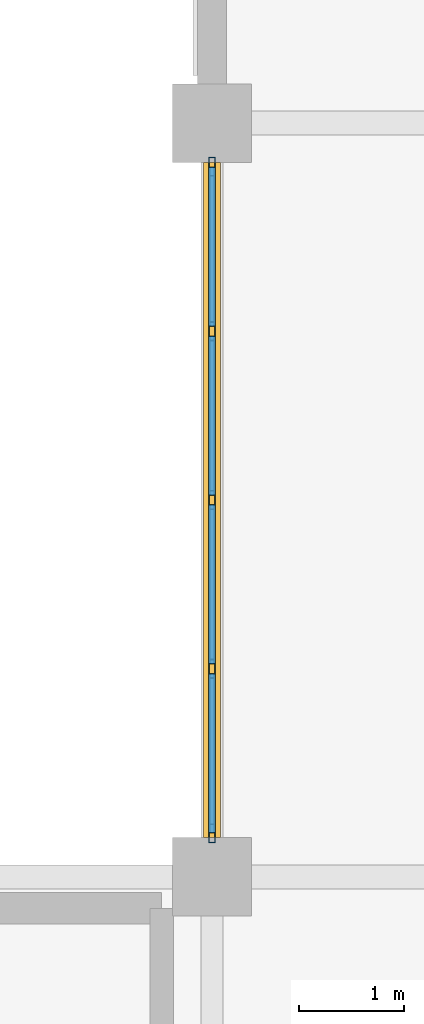
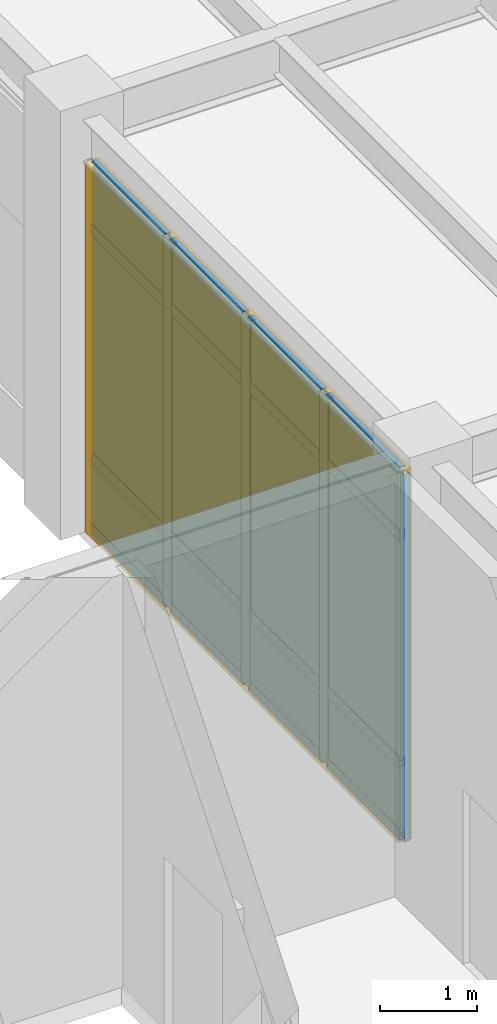
# One storey, part 74 of 97: 21 members, 8 plates, 1 curtain wall.
"""IFC4 building model written with IfcOpenShell, lengths in metres."""

from ifc_helpers import new_model, si_unit, direction, frame, origin, origin_2d, place, context, subcontext, project, spatial, rectangle, hollow_rectangle, extrude, material, layer, layer_set, material_profile, profile_set, type_object, element, aggregate, save


model = new_model("IFC4")

# Units and contexts
model_context = context("Model", 3, precision=1e-05, world=origin(), true_north=direction((0.0, 1.0)))
body_context = subcontext(model_context, "Body", "Model", "MODEL_VIEW")
ifc_project = project(units=[si_unit("LENGTHUNIT", "METRE"), si_unit("AREAUNIT", "SQUARE_METRE"), si_unit("VOLUMEUNIT", "CUBIC_METRE"), si_unit("PLANEANGLEUNIT", "RADIAN"), si_unit("MASSUNIT", "GRAM", prefix="KILO")], contexts=[model_context])

# Member
ifc_material_1 = material(Name="Anodized Aluminium 6063-T6", Category="aluminium")
ifc_material_profile_1 = material_profile(ifc_material_1, hollow_rectangle(XDim=0.06494140625, YDim=0.179931640625, WallThickness=0.00390625, at=origin_2d()), Name="ALU 65x180x4")
ifc_profile_set_1 = profile_set([ifc_material_profile_1], Name="Anodized Aluminium 6063-T6")
member_type_1 = type_object("IfcMemberType", Name="CWM-65X150", PredefinedType="MULLION", material=ifc_profile_set_1)
site_placement = place(None, origin())
building_placement = place(site_placement, origin())
storey_placement = place(building_placement, origin())
member_1_placement = place(storey_placement, frame((93.60009765625, 94.014892578125, 0.02001953125), z_axis=(0.0, 0.0, 1.0), x_axis=(1.0, 0.0, 0.0)))
member_1 = element("IfcMember", 1, at=member_1_placement, type_object=member_type_1, Name="Curtain wall mullion CW-L01-13-13-W-00", PredefinedType="MULLION", context=body_context, shape_type="SweptSolid", body=[
    extrude(hollow_rectangle(XDim=0.06494140625, YDim=0.179931640625, WallThickness=0.00390625, at=origin_2d()), origin(), (0.0, 0.0, 1.0), 4.626953125),
])

member_2_placement = place(storey_placement, frame((93.60009765625, 95.58740234375, 0.02001953125), z_axis=(0.0, 0.0, 1.0), x_axis=(1.0, 0.0, 0.0)))
member_2 = element("IfcMember", 2, at=member_2_placement, type_object=member_type_1, Name="Curtain wall mullion CW-L01-13-13-W-01", PredefinedType="MULLION", context=body_context, shape_type="SweptSolid", body=[
    extrude(hollow_rectangle(XDim=0.06494140625, YDim=0.179931640625, WallThickness=0.00390625, at=origin_2d()), origin(), (0.0, 0.0, 1.0), 4.626953125),
])

member_3_placement = place(storey_placement, frame((93.60009765625, 97.199951171875, 0.02001953125), z_axis=(0.0, 0.0, 1.0), x_axis=(1.0, 0.0, 0.0)))
member_3 = element("IfcMember", 3, at=member_3_placement, type_object=member_type_1, Name="Curtain wall mullion CW-L01-13-13-W-02", PredefinedType="MULLION", context=body_context, shape_type="SweptSolid", body=[
    extrude(hollow_rectangle(XDim=0.06494140625, YDim=0.179931640625, WallThickness=0.00390625, at=origin_2d()), origin(), (0.0, 0.0, 1.0), 4.626953125),
])

member_4_placement = place(storey_placement, frame((93.60009765625, 98.8125, 0.02001953125), z_axis=(0.0, 0.0, 1.0), x_axis=(1.0, 0.0, 0.0)))
member_4 = element("IfcMember", 4, at=member_4_placement, type_object=member_type_1, Name="Curtain wall mullion CW-L01-13-13-W-03", PredefinedType="MULLION", context=body_context, shape_type="SweptSolid", body=[
    extrude(hollow_rectangle(XDim=0.06494140625, YDim=0.179931640625, WallThickness=0.00390625, at=origin_2d()), origin(), (0.0, 0.0, 1.0), 4.626953125),
])

member_5_placement = place(storey_placement, frame((93.60009765625, 100.385009765625, 0.02001953125), z_axis=(0.0, 0.0, 1.0), x_axis=(1.0, 0.0, 0.0)))
member_5 = element("IfcMember", 5, at=member_5_placement, type_object=member_type_1, Name="Curtain wall mullion CW-L01-13-13-W-04", PredefinedType="MULLION", context=body_context, shape_type="SweptSolid", body=[
    extrude(hollow_rectangle(XDim=0.06494140625, YDim=0.179931640625, WallThickness=0.00390625, at=origin_2d()), origin(), (0.0, 0.0, 1.0), 4.626953125),
])

ifc_material_profile_2 = material_profile(ifc_material_1, hollow_rectangle(XDim=0.06494140625, YDim=0.139892578125, WallThickness=0.00390625, at=origin_2d()), Name="ALU 65x140x4")
ifc_profile_set_2 = profile_set([ifc_material_profile_2], Name="Anodized Aluminium 6063-T6")
member_type_2 = type_object("IfcMemberType", Name="CWT-65X120", PredefinedType="USERDEFINED", material=ifc_profile_set_2)
member_6_placement = place(storey_placement, frame((93.60009765625, 94.02490234375, 0.050048828125), z_axis=(0.0, 1.0, 0.0), x_axis=(-1.0, 0.0, 0.0)))
member_6 = element("IfcMember", 6, at=member_6_placement, type_object=member_type_2, Name="Curtain wall transom CW-L01-13-13-W-1.01", ObjectType="TRANSOM", PredefinedType="USERDEFINED", context=body_context, shape_type="SweptSolid", body=[
    extrude(hollow_rectangle(XDim=0.06494140625, YDim=0.139892578125, WallThickness=0.00390625, at=origin_2d()), origin(), (0.0, 0.0, 1.0), 1.5126953125),
])

member_7_placement = place(storey_placement, frame((93.60009765625, 95.637451171875, 0.050048828125), z_axis=(0.0, 1.0, 0.0), x_axis=(-1.0, 0.0, 0.0)))
member_7 = element("IfcMember", 7, at=member_7_placement, type_object=member_type_2, Name="Curtain wall transom CW-L01-13-13-W-1.02", ObjectType="TRANSOM", PredefinedType="USERDEFINED", context=body_context, shape_type="SweptSolid", body=[
    extrude(hollow_rectangle(XDim=0.06494140625, YDim=0.139892578125, WallThickness=0.00390625, at=origin_2d()), origin(), (0.0, 0.0, 1.0), 1.512451171875),
])

member_8_placement = place(storey_placement, frame((93.60009765625, 97.25, 0.050048828125), z_axis=(0.0, 1.0, 0.0), x_axis=(-1.0, 0.0, 0.0)))
member_8 = element("IfcMember", 8, at=member_8_placement, type_object=member_type_2, Name="Curtain wall transom CW-L01-13-13-W-1.03", ObjectType="TRANSOM", PredefinedType="USERDEFINED", context=body_context, shape_type="SweptSolid", body=[
    extrude(hollow_rectangle(XDim=0.06494140625, YDim=0.139892578125, WallThickness=0.00390625, at=origin_2d()), origin(), (0.0, 0.0, 1.0), 1.512451171875),
])

member_9_placement = place(storey_placement, frame((93.60009765625, 98.862548828125, 0.050048828125), z_axis=(0.0, 1.0, 0.0), x_axis=(-1.0, 0.0, 0.0)))
member_9 = element("IfcMember", 9, at=member_9_placement, type_object=member_type_2, Name="Curtain wall transom CW-L01-13-13-W-1.04", ObjectType="TRANSOM", PredefinedType="USERDEFINED", context=body_context, shape_type="SweptSolid", body=[
    extrude(hollow_rectangle(XDim=0.06494140625, YDim=0.139892578125, WallThickness=0.00390625, at=origin_2d()), origin(), (0.0, 0.0, 1.0), 1.512451171875),
])

member_10_placement = place(storey_placement, frame((93.60009765625, 94.02490234375, 0.949951171875), z_axis=(0.0, 1.0, 0.0), x_axis=(-1.0, 0.0, 0.0)))
member_10 = element("IfcMember", 10, at=member_10_placement, type_object=member_type_2, Name="Curtain wall transom CW-L01-13-13-W-2.01", ObjectType="TRANSOM", PredefinedType="USERDEFINED", context=body_context, shape_type="SweptSolid", body=[
    extrude(hollow_rectangle(XDim=0.06494140625, YDim=0.139892578125, WallThickness=0.00390625, at=origin_2d()), origin(), (0.0, 0.0, 1.0), 1.5126953125),
])

member_11_placement = place(storey_placement, frame((93.60009765625, 95.637451171875, 0.949951171875), z_axis=(0.0, 1.0, 0.0), x_axis=(-1.0, 0.0, 0.0)))
member_11 = element("IfcMember", 11, at=member_11_placement, type_object=member_type_2, Name="Curtain wall transom CW-L01-13-13-W-2.02", ObjectType="TRANSOM", PredefinedType="USERDEFINED", context=body_context, shape_type="SweptSolid", body=[
    extrude(hollow_rectangle(XDim=0.06494140625, YDim=0.139892578125, WallThickness=0.00390625, at=origin_2d()), origin(), (0.0, 0.0, 1.0), 1.512451171875),
])

member_12_placement = place(storey_placement, frame((93.60009765625, 97.25, 0.949951171875), z_axis=(0.0, 1.0, 0.0), x_axis=(-1.0, 0.0, 0.0)))
member_12 = element("IfcMember", 12, at=member_12_placement, type_object=member_type_2, Name="Curtain wall transom CW-L01-13-13-W-2.03", ObjectType="TRANSOM", PredefinedType="USERDEFINED", context=body_context, shape_type="SweptSolid", body=[
    extrude(hollow_rectangle(XDim=0.06494140625, YDim=0.139892578125, WallThickness=0.00390625, at=origin_2d()), origin(), (0.0, 0.0, 1.0), 1.512451171875),
])

member_13_placement = place(storey_placement, frame((93.60009765625, 98.862548828125, 0.949951171875), z_axis=(0.0, 1.0, 0.0), x_axis=(-1.0, 0.0, 0.0)))
member_13 = element("IfcMember", 13, at=member_13_placement, type_object=member_type_2, Name="Curtain wall transom CW-L01-13-13-W-2.04", ObjectType="TRANSOM", PredefinedType="USERDEFINED", context=body_context, shape_type="SweptSolid", body=[
    extrude(hollow_rectangle(XDim=0.06494140625, YDim=0.139892578125, WallThickness=0.00390625, at=origin_2d()), origin(), (0.0, 0.0, 1.0), 1.512451171875),
])

member_14_placement = place(storey_placement, frame((93.60009765625, 94.02490234375, 3.81689453125), z_axis=(0.0, 1.0, 0.0), x_axis=(-1.0, 0.0, 0.0)))
member_14 = element("IfcMember", 14, at=member_14_placement, type_object=member_type_2, Name="Curtain wall transom CW-L01-13-13-W-3.01", ObjectType="TRANSOM", PredefinedType="USERDEFINED", context=body_context, shape_type="SweptSolid", body=[
    extrude(hollow_rectangle(XDim=0.06494140625, YDim=0.139892578125, WallThickness=0.00390625, at=origin_2d()), origin(), (0.0, 0.0, 1.0), 1.5126953125),
])

member_15_placement = place(storey_placement, frame((93.60009765625, 95.637451171875, 3.81689453125), z_axis=(0.0, 1.0, 0.0), x_axis=(-1.0, 0.0, 0.0)))
member_15 = element("IfcMember", 15, at=member_15_placement, type_object=member_type_2, Name="Curtain wall transom CW-L01-13-13-W-3.02", ObjectType="TRANSOM", PredefinedType="USERDEFINED", context=body_context, shape_type="SweptSolid", body=[
    extrude(hollow_rectangle(XDim=0.06494140625, YDim=0.139892578125, WallThickness=0.00390625, at=origin_2d()), origin(), (0.0, 0.0, 1.0), 1.512451171875),
])

member_16_placement = place(storey_placement, frame((93.60009765625, 97.25, 3.81689453125), z_axis=(0.0, 1.0, 0.0), x_axis=(-1.0, 0.0, 0.0)))
member_16 = element("IfcMember", 16, at=member_16_placement, type_object=member_type_2, Name="Curtain wall transom CW-L01-13-13-W-3.03", ObjectType="TRANSOM", PredefinedType="USERDEFINED", context=body_context, shape_type="SweptSolid", body=[
    extrude(hollow_rectangle(XDim=0.06494140625, YDim=0.139892578125, WallThickness=0.00390625, at=origin_2d()), origin(), (0.0, 0.0, 1.0), 1.512451171875),
])

member_17_placement = place(storey_placement, frame((93.60009765625, 98.862548828125, 3.81689453125), z_axis=(0.0, 1.0, 0.0), x_axis=(-1.0, 0.0, 0.0)))
member_17 = element("IfcMember", 17, at=member_17_placement, type_object=member_type_2, Name="Curtain wall transom CW-L01-13-13-W-3.04", ObjectType="TRANSOM", PredefinedType="USERDEFINED", context=body_context, shape_type="SweptSolid", body=[
    extrude(hollow_rectangle(XDim=0.06494140625, YDim=0.139892578125, WallThickness=0.00390625, at=origin_2d()), origin(), (0.0, 0.0, 1.0), 1.512451171875),
])

member_18_placement = place(storey_placement, frame((93.60009765625, 94.02490234375, 4.616943359375), z_axis=(0.0, 1.0, 0.0), x_axis=(-1.0, 0.0, 0.0)))
member_18 = element("IfcMember", 18, at=member_18_placement, type_object=member_type_2, Name="Curtain wall transom CW-L01-13-13-W-4.01", ObjectType="TRANSOM", PredefinedType="USERDEFINED", context=body_context, shape_type="SweptSolid", body=[
    extrude(hollow_rectangle(XDim=0.06494140625, YDim=0.139892578125, WallThickness=0.00390625, at=origin_2d()), origin(), (0.0, 0.0, 1.0), 1.5126953125),
])

member_19_placement = place(storey_placement, frame((93.60009765625, 95.637451171875, 4.616943359375), z_axis=(0.0, 1.0, 0.0), x_axis=(-1.0, 0.0, 0.0)))
member_19 = element("IfcMember", 19, at=member_19_placement, type_object=member_type_2, Name="Curtain wall transom CW-L01-13-13-W-4.02", ObjectType="TRANSOM", PredefinedType="USERDEFINED", context=body_context, shape_type="SweptSolid", body=[
    extrude(hollow_rectangle(XDim=0.06494140625, YDim=0.139892578125, WallThickness=0.00390625, at=origin_2d()), origin(), (0.0, 0.0, 1.0), 1.512451171875),
])

member_20_placement = place(storey_placement, frame((93.60009765625, 97.25, 4.616943359375), z_axis=(0.0, 1.0, 0.0), x_axis=(-1.0, 0.0, 0.0)))
member_20 = element("IfcMember", 20, at=member_20_placement, type_object=member_type_2, Name="Curtain wall transom CW-L01-13-13-W-4.03", ObjectType="TRANSOM", PredefinedType="USERDEFINED", context=body_context, shape_type="SweptSolid", body=[
    extrude(hollow_rectangle(XDim=0.06494140625, YDim=0.139892578125, WallThickness=0.00390625, at=origin_2d()), origin(), (0.0, 0.0, 1.0), 1.512451171875),
])

member_21_placement = place(storey_placement, frame((93.60009765625, 98.862548828125, 4.616943359375), z_axis=(0.0, 1.0, 0.0), x_axis=(-1.0, 0.0, 0.0)))
member_21 = element("IfcMember", 21, at=member_21_placement, type_object=member_type_2, Name="Curtain wall transom CW-L01-13-13-W-4.04", ObjectType="TRANSOM", PredefinedType="USERDEFINED", context=body_context, shape_type="SweptSolid", body=[
    extrude(hollow_rectangle(XDim=0.06494140625, YDim=0.139892578125, WallThickness=0.00390625, at=origin_2d()), origin(), (0.0, 0.0, 1.0), 1.512451171875),
])

# Plate
ifc_material_2 = material(Name="Double Low-E Insulated Glazing Unit", Category="glass")
ifc_layer_1 = layer(ifc_material_2, 0.0380859375)
ifc_layer_set_1 = layer_set([ifc_layer_1], Name="Double Low-E Insulated Glazing Unit")
plate_type_1 = type_object("IfcPlateType", Name="CWP-IGU-38", PredefinedType="CURTAIN_PANEL", material=ifc_layer_set_1)
plate_1_placement = place(storey_placement, frame((93.60009765625, 94.78125, 0.990234375), z_axis=(0.0, 0.0, 1.0), x_axis=(0.0, 1.0, 0.0)))
plate_1 = element("IfcPlate", 22, at=plate_1_placement, type_object=plate_type_1, Name="Curtain wall vision glazing CW-L01-13-13-W-01", PredefinedType="CURTAIN_PANEL", context=body_context, shape_type="SweptSolid", body=[
    extrude(rectangle(XDim=1.5224609375, YDim=0.0400390625, at=origin_2d()), origin(), (0.0, 0.0, 1.0), 3.616943359375),
])

plate_2_placement = place(storey_placement, frame((93.60009765625, 96.393798828125, 0.990234375), z_axis=(0.0, 0.0, 1.0), x_axis=(0.0, 1.0, 0.0)))
plate_2 = element("IfcPlate", 23, at=plate_2_placement, type_object=plate_type_1, Name="Curtain wall vision glazing CW-L01-13-13-W-02", PredefinedType="CURTAIN_PANEL", context=body_context, shape_type="SweptSolid", body=[
    extrude(rectangle(XDim=1.5224609375, YDim=0.0400390625, at=origin_2d()), origin(), (0.0, 0.0, 1.0), 3.616943359375),
])

plate_3_placement = place(storey_placement, frame((93.60009765625, 98.006103515625, 0.990234375), z_axis=(0.0, 0.0, 1.0), x_axis=(0.0, 1.0, 0.0)))
plate_3 = element("IfcPlate", 24, at=plate_3_placement, type_object=plate_type_1, Name="Curtain wall vision glazing CW-L01-13-13-W-03", PredefinedType="CURTAIN_PANEL", context=body_context, shape_type="SweptSolid", body=[
    extrude(rectangle(XDim=1.5224609375, YDim=0.0400390625, at=origin_2d()), origin(), (0.0, 0.0, 1.0), 3.616943359375),
])

plate_4_placement = place(storey_placement, frame((93.60009765625, 99.61865234375, 0.990234375), z_axis=(0.0, 0.0, 1.0), x_axis=(0.0, 1.0, 0.0)))
plate_4 = element("IfcPlate", 25, at=plate_4_placement, type_object=plate_type_1, Name="Curtain wall vision glazing CW-L01-13-13-W-04", PredefinedType="CURTAIN_PANEL", context=body_context, shape_type="SweptSolid", body=[
    extrude(rectangle(XDim=1.5224609375, YDim=0.0400390625, at=origin_2d()), origin(), (0.0, 0.0, 1.0), 3.616943359375),
])

ifc_material_3 = material(Name="Insulated Bronze Aluminium Spandrel", Category="aluminium")
ifc_layer_2 = layer(ifc_material_3, 0.06005859375)
ifc_layer_set_2 = layer_set([ifc_layer_2], Name="Insulated Bronze Aluminium Spandrel")
plate_type_2 = type_object("IfcPlateType", Name="CWP-SPN-60", PredefinedType="CURTAIN_PANEL", material=ifc_layer_set_2)
plate_5_placement = place(storey_placement, frame((93.60009765625, 94.78125, 0.080078125), z_axis=(0.0, 0.0, 1.0), x_axis=(0.0, 1.0, 0.0)))
plate_5 = element("IfcPlate", 26, at=plate_5_placement, type_object=plate_type_2, Name="Curtain wall spandrel panel CW-L01-13-13-W-01", PredefinedType="CURTAIN_PANEL", context=body_context, shape_type="SweptSolid", body=[
    extrude(rectangle(XDim=1.5224609375, YDim=0.06005859375, at=origin_2d()), origin(), (0.0, 0.0, 1.0), 0.840087890625),
])

plate_6_placement = place(storey_placement, frame((93.60009765625, 96.393798828125, 0.080078125), z_axis=(0.0, 0.0, 1.0), x_axis=(0.0, 1.0, 0.0)))
plate_6 = element("IfcPlate", 27, at=plate_6_placement, type_object=plate_type_2, Name="Curtain wall spandrel panel CW-L01-13-13-W-02", PredefinedType="CURTAIN_PANEL", context=body_context, shape_type="SweptSolid", body=[
    extrude(rectangle(XDim=1.5224609375, YDim=0.06005859375, at=origin_2d()), origin(), (0.0, 0.0, 1.0), 0.840087890625),
])

plate_7_placement = place(storey_placement, frame((93.60009765625, 98.006103515625, 0.080078125), z_axis=(0.0, 0.0, 1.0), x_axis=(0.0, 1.0, 0.0)))
plate_7 = element("IfcPlate", 28, at=plate_7_placement, type_object=plate_type_2, Name="Curtain wall spandrel panel CW-L01-13-13-W-03", PredefinedType="CURTAIN_PANEL", context=body_context, shape_type="SweptSolid", body=[
    extrude(rectangle(XDim=1.5224609375, YDim=0.06005859375, at=origin_2d()), origin(), (0.0, 0.0, 1.0), 0.840087890625),
])

plate_8_placement = place(storey_placement, frame((93.60009765625, 99.61865234375, 0.080078125), z_axis=(0.0, 0.0, 1.0), x_axis=(0.0, 1.0, 0.0)))
plate_8 = element("IfcPlate", 29, at=plate_8_placement, type_object=plate_type_2, Name="Curtain wall spandrel panel CW-L01-13-13-W-04", PredefinedType="CURTAIN_PANEL", context=body_context, shape_type="SweptSolid", body=[
    extrude(rectangle(XDim=1.5224609375, YDim=0.06005859375, at=origin_2d()), origin(), (0.0, 0.0, 1.0), 0.840087890625),
])

# Site, building, storey
site = spatial("IfcSite", under=ifc_project, at=site_placement, CompositionType="ELEMENT")
building = spatial("IfcBuilding", under=site, at=building_placement, Name="Sillqori Civic Hall", CompositionType="ELEMENT")
storey = spatial("IfcBuildingStorey", under=building, at=storey_placement, Name="L01", CompositionType="ELEMENT", Elevation=0.0)

# Curtain wall
ifc_material_4 = material(Name="Anodized Aluminium Curtain Wall System", Category="aluminium")
curtain_wall_type = type_object("IfcCurtainWallType", Name="CW-SF-540", PredefinedType="NOTDEFINED", material=ifc_material_4)
curtain_wall_placement = place(storey_placement, frame((93.60009765625, 97.199951171875, 0.0), z_axis=(0.0, 0.0, 1.0), x_axis=(0.0, 1.0, 0.0)))
curtain_wall = element("IfcCurtainWall", 30, at=curtain_wall_placement, inside=storey, type_object=curtain_wall_type, Name="L01 unitised curtain wall CW-L01-13-13-W", PredefinedType="NOTDEFINED", context=body_context, shape_type="SweptSolid", body=[
    extrude(rectangle(XDim=6.449951171875, YDim=0.159912109375, at=origin_2d()), origin(), (0.0, 0.0, 1.0), 4.6669921875),
])

aggregate(curtain_wall, [member_1, member_2, member_3, member_4, member_5, member_6, member_7, member_8, member_9, member_10, member_11, member_12, member_13, member_14, member_15, member_16, member_17, member_18, member_19, member_20, member_21, plate_5, plate_1, plate_6, plate_2, plate_7, plate_3, plate_8, plate_4])

save(model, "model.ifc")
